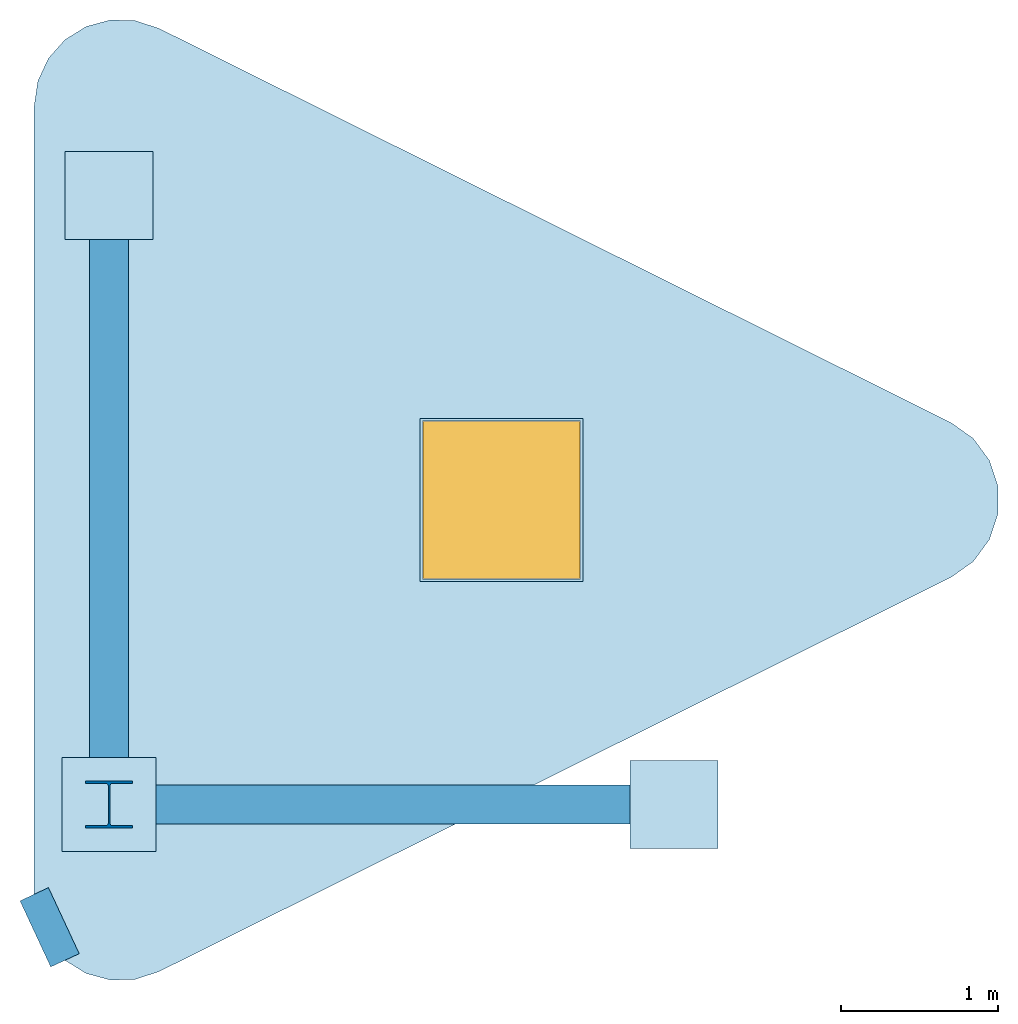
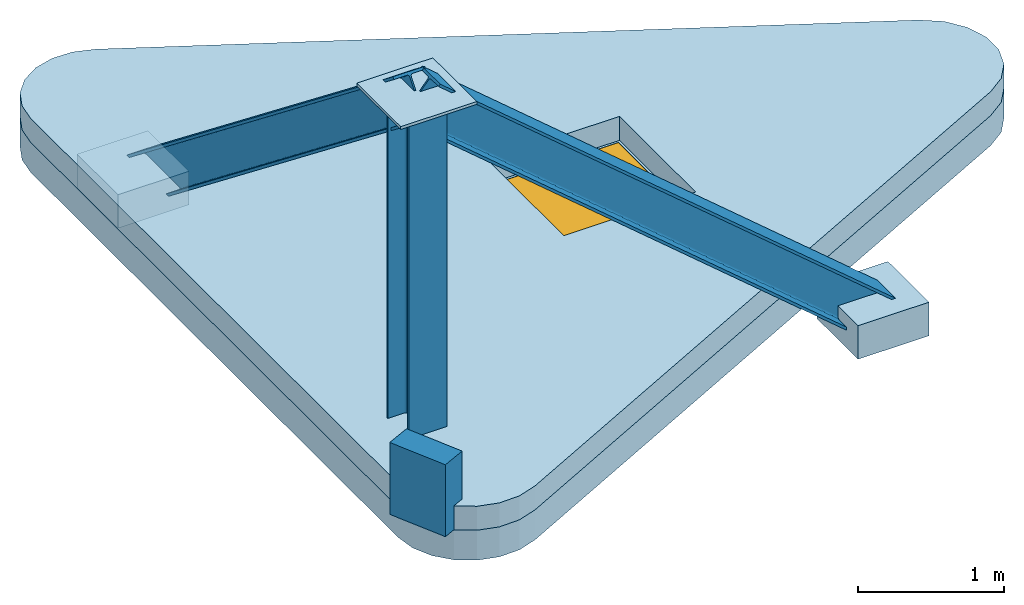
"""IFC4 building model written with IfcOpenShell, lengths in metres."""

from ifc_helpers import new_model, si_unit, direction, frame, frame_2d, origin, origin_2d, place, context, subcontext, project, spatial, polyline, rectangle, i_section, outline, extrude, source, transform, mapped, material, layer, layer_set, material_profile, profile_set, type_object, element, fill, save


model = new_model("IFC4")

# Units and contexts
model_context = context("Model", 3, precision=1e-05, world=origin(), true_north=direction((0.0, 1.0)))
body_context = subcontext(model_context, "Body", "Model", "MODEL_VIEW")
ifc_project = project(units=[si_unit("LENGTHUNIT", "METRE"), si_unit("AREAUNIT", "SQUARE_METRE"), si_unit("VOLUMEUNIT", "CUBIC_METRE"), si_unit("PLANEANGLEUNIT", "RADIAN"), si_unit("MASSUNIT", "GRAM", prefix="KILO")], contexts=[model_context])

# Site, building, storey
site_placement = place(None, origin())
site = spatial("IfcSite", under=ifc_project, at=site_placement, CompositionType="ELEMENT")
building_placement = place(site_placement, origin())
building = spatial("IfcBuilding", under=site, at=building_placement, Name="Yunling Apex Tower", CompositionType="ELEMENT")
storey_1_placement = place(building_placement, frame((0.0, 0.0, 349.050048828125)))
storey_1 = spatial("IfcBuildingStorey", under=building, at=storey_1_placement, Name="ROOF", CompositionType="ELEMENT", Elevation=349.050048828125)

# Column
ifc_material_1 = material(Name="Steel Q355B", Category="steel")
ifc_material_profile_1 = material_profile(ifc_material_1, i_section(OverallWidth=0.300048828125, OverallDepth=0.300048828125, WebThickness=0.010009765625, FlangeThickness=0.014892578125, FilletRadius=0.01806640625, at=origin_2d()))
ifc_profile_set_1 = profile_set([ifc_material_profile_1], Name="Steel Q355B")
column_type = type_object("IfcColumnType", Name="CC-STL-3", PredefinedType="COLUMN", material=ifc_profile_set_1)
shared_shape_1 = source(origin(), body_context, "Body", "SweptSolid", [
    extrude(i_section(OverallWidth=0.300048828125, OverallDepth=0.300048828125, WebThickness=0.010009765625, FlangeThickness=0.014892578125, FilletRadius=0.01806640625, at=origin_2d()), origin(), (0.0, 0.0, 1.0), 3.169921875),
])
column_placement = place(storey_1_placement, frame((-1.800048828125, -1.93994140625, 0.0), z_axis=(0.0, 0.0, 1.0), x_axis=(1.0, 0.0, 0.0)))
element("IfcColumn", 1, at=column_placement, inside=storey_1, type_object=column_type, Name="ROOF Crown Apex King-Post Column", PredefinedType="COLUMN", context=body_context, shape_type="MappedRepresentation", body=[
    mapped(shared_shape_1, transform((0.0, 0.0, 0.0), scale=1.0)),
])

# Members
ifc_material_profile_2 = material_profile(ifc_material_1, i_section(OverallWidth=0.25, OverallDepth=0.35009765625, WebThickness=0.011962890625, FlangeThickness=0.02001953125, FilletRadius=0.01611328125, at=origin_2d()))
ifc_profile_set_2 = profile_set([ifc_material_profile_2], Name="Steel Q355B")
member_type = type_object("IfcMemberType", Name="CR-RIB-2", PredefinedType="RAFTER", material=ifc_profile_set_2)
shared_shape_2 = source(origin(), body_context, "Body", "SweptSolid", [
    extrude(i_section(OverallWidth=0.25, OverallDepth=0.35009765625, WebThickness=0.011962890625, FlangeThickness=0.02001953125, FilletRadius=0.01611328125, at=origin_2d()), origin(), (0.0, 0.0, 1.0), 4.935302734375),
])
member_1_placement = place(storey_1_placement, frame((-1.800048828125, 1.93994140625, 0.119873046875), z_axis=(0.0, -0.78616382066, 0.618018160805), x_axis=(1.0, 0.0, 0.0)))
element("IfcMember", 2, at=member_1_placement, inside=storey_1, type_object=member_type, Name="ROOF Glass-Point Apex Rafter 1", PredefinedType="RAFTER", context=body_context, shape_type="MappedRepresentation", body=[
    mapped(shared_shape_2, transform((0.0, 0.0, 0.0), scale=1.0)),
])
shared_shape_3 = source(origin(), body_context, "Body", "SweptSolid", [
    extrude(i_section(OverallWidth=0.25, OverallDepth=0.35009765625, WebThickness=0.011962890625, FlangeThickness=0.02001953125, FilletRadius=0.01611328125, at=origin_2d()), origin(), (0.0, 0.0, 1.0), 4.718505859375),
])
member_2_placement = place(storey_1_placement, frame((1.800048828125, -1.93994140625, 0.119873046875), z_axis=(-0.762987726658, 0.0, 0.646412970917), x_axis=(0.0, -1.0, 0.0)))
element("IfcMember", 3, at=member_2_placement, inside=storey_1, type_object=member_type, Name="ROOF Glass-Point Apex Rafter 2", PredefinedType="RAFTER", context=body_context, shape_type="MappedRepresentation", body=[
    mapped(shared_shape_3, transform((0.0, 0.0, 0.0), scale=1.0)),
])

# Slab, opening
ifc_material_2 = material(Name="Concrete C40", Category="concrete")
ifc_layer_1 = layer(ifc_material_2, 0.25)
ifc_layer_set_1 = layer_set([ifc_layer_1], Name="Concrete C40")
slab_type = type_object("IfcSlabType", Name="SL-ROOF-CRN", PredefinedType="ROOF", material=ifc_layer_set_1)
slab_placement = place(storey_1_placement, origin())
slab = element("IfcSlab", 4, at=slab_placement, inside=storey_1, type_object=slab_type, Name="Crown Apex Roof Deck Slab", PredefinedType="ROOF", context=body_context, shape_type="SweptSolid", body=[
    extrude(outline(polyline([(-2.277099609375, -2.511962890625), (-2.25390625, -2.66943359375), (-2.186767578125, -2.813720703125), (-2.081298828125, -2.9326171875), (-1.94580078125, -3.0166015625), (-1.792236328125, -3.05810546875), (-1.63330078125, -3.0537109375), (-1.48193359375, -3.00439453125), (3.564697265625, -0.492431640625), (3.7060546875, -0.3916015625), (3.80859375, -0.251708984375), (3.86279296875, -0.0869140625), (3.86279296875, 0.0869140625), (3.80859375, 0.251708984375), (3.7060546875, 0.3916015625), (3.564697265625, 0.492431640625), (-1.48193359375, 3.00439453125), (-1.63330078125, 3.0537109375), (-1.792236328125, 3.05810546875), (-1.94580078125, 3.0166015625), (-2.081298828125, 2.9326171875), (-2.186767578125, 2.813720703125), (-2.25390625, 2.66943359375), (-2.277099609375, 2.511962890625), (-2.277099609375, -2.511962890625)]), holes=[polyline([(0.199951171875, 0.5), (1.199951171875, 0.5), (1.199951171875, -0.5), (0.199951171875, -0.5), (0.199951171875, 0.5)])]), origin(), (0.0, 0.0, 1.0), 0.25),
])
opening_placement = place(slab_placement, frame((0.699951171875, 0.0, 0.0)))
opening = element("IfcOpeningElement", 5, at=opening_placement, cuts=slab, Name="Opening HT-RF-1", PredefinedType="OPENING", context=body_context, shape_type="SweptSolid", body=[
    extrude(rectangle(XDim=1.00390625, YDim=1.00390625, at=origin_2d()), frame((0.0, 0.0, -0.010009765625)), (0.0, 0.0, 1.0), 0.27001953125),
])

# Storey
storey_2_placement = place(building_placement, frame((0.0, 0.0, 343.85009765625)))
storey_2 = spatial("IfcBuildingStorey", under=building, at=storey_2_placement, Name="C06", CompositionType="ELEMENT", Elevation=343.85009765625)

# Door
door_type = type_object("IfcDoorType", Name="HT-RF-1", OperationType="SINGLE_SWING_LEFT", PredefinedType="TRAPDOOR", material=ifc_material_1)
door_placement = place(opening_placement, frame((0.0, 0.0, 0.199951171875)))
door = element("IfcDoor", 6, at=door_placement, inside=storey_2, type_object=door_type, Name="HT-ROOF-01 Crown Roof Maintenance Access Hatch", OperationType="SINGLE_SWING_LEFT", OverallHeight=1.0, OverallWidth=1.0, PredefinedType="TRAPDOOR", context=body_context, shape_type="SweptSolid", body=[
    extrude(rectangle(XDim=1.0, YDim=1.0, at=origin_2d()), origin(), (0.0, 0.0, 1.0), 0.050048828125),
])

fill(opening, door)

# Plates
ifc_layer_2 = layer(ifc_material_1, 0.02392578125)
ifc_layer_set_2 = layer_set([ifc_layer_2], Name="Steel Q355B")
plate_type_1 = type_object("IfcPlateType", Name="NP-CAP-2", PredefinedType="USERDEFINED", material=ifc_layer_set_2)
shared_shape_4 = source(origin(), body_context, "Body", "SweptSolid", [
    extrude(rectangle(XDim=0.60009765625, YDim=0.60009765625, at=origin_2d()), origin(), (0.0, 0.0, 1.0), 0.02392578125),
])
plate_placement = place(storey_1_placement, frame((-1.800048828125, -1.93994140625, 3.176025390625), z_axis=(0.0, 0.0, 1.0), x_axis=(1.0, 0.0, 0.0)))
element("IfcPlate", 7, at=plate_placement, inside=storey_1, type_object=plate_type_1, Name="Crown Apex Finial Structural Cap Plate (+352.25 m)", ObjectType="CAP_PLATE", PredefinedType="USERDEFINED", context=body_context, shape_type="MappedRepresentation", body=[
    mapped(shared_shape_4, transform((0.0, 0.0, 0.0), scale=1.0)),
])
ifc_layer_3 = layer(ifc_material_1, 0.030029296875)
ifc_layer_set_3 = layer_set([ifc_layer_3], Name="Steel Q355B")
plate_type_2 = type_object("IfcPlateType", Name="NP-CAP-1", PredefinedType="USERDEFINED", material=ifc_layer_set_3)
shared_shape_5 = source(origin(), body_context, "Body", "SweptSolid", [
    extrude(rectangle(XDim=0.56005859375, YDim=0.56005859375, at=origin_2d()), origin(), (0.0, 0.0, 1.0), 0.280029296875),
])
for number, where, z_axis, x_axis, name in (
    (8, (-1.800048828125, 1.93994140625, -0.02001953125), (0.0, 0.0, 1.0), (0.0, -1.0, 0.0), "ROOF ROOF Apex Rafter Baseplate 432"),
    (9, (1.800048828125, -1.93994140625, -0.02001953125), (0.0, 0.0, 1.0), (-1.0, 0.0, 0.0), "ROOF ROOF Apex Rafter Baseplate 433"),
):
    element("IfcPlate", number, at=place(storey_1_placement, frame(where, z_axis=z_axis, x_axis=x_axis)), inside=storey_1, type_object=plate_type_2, Name=name, ObjectType="CAP_PLATE", PredefinedType="USERDEFINED", context=body_context, shape_type="MappedRepresentation", body=[
        mapped(shared_shape_5, transform((0.0, 0.0, 0.0), scale=1.0)),
    ])

# Wall
ifc_material_3 = material(Name="Precast concrete C40", Category="concrete")
ifc_layer_4 = layer(ifc_material_3, 0.199951171875)
ifc_layer_set_4 = layer_set([ifc_layer_4], Name="Precast concrete C40")
wall_type = type_object("IfcWallType", Name="WL-PAR-2", PredefinedType="PARAPET", material=ifc_layer_set_4)
wall_placement = place(storey_1_placement, frame((-2.277099609375, -2.511962890625, 0.25), z_axis=(0.0, 0.0, 1.0), x_axis=(0.421992298899, -0.906599415216, 0.0)))
element("IfcWall", 10, at=wall_placement, inside=storey_1, type_object=wall_type, Name="WL-PAR-ROOF", PredefinedType="PARAPET", context=body_context, shape_type="SweptSolid", body=[
    extrude(rectangle(XDim=0.464111328125, YDim=0.199951171875, at=frame_2d((0.23193359375, 0.0))), origin(), (0.0, 0.0, 1.0), 0.599853515625),
])

# Roof
ifc_material_4 = material(Name="Bronze fritted laminated crown glass", Category="glass")
ifc_layer_5 = layer(ifc_material_4, 0.25)
ifc_layer_set_5 = layer_set([ifc_layer_5], Name="Bronze fritted laminated crown glass")
roof_type = type_object("IfcRoofType", Name="RF-CRN-1", PredefinedType="PAVILION_ROOF", material=ifc_layer_set_5)
roof_placement = place(storey_1_placement, frame((0.0, 0.0, 0.25)))
element("IfcRoof", 11, at=roof_placement, inside=storey_1, type_object=roof_type, Name="RF-CROWN-APEX", PredefinedType="PAVILION_ROOF", context=body_context, shape_type="SweptSolid", body=[
    extrude(outline(polyline([(-2.277099609375, -2.511962890625), (-2.25390625, -2.66943359375), (-2.186767578125, -2.813720703125), (-2.081298828125, -2.9326171875), (-1.94580078125, -3.0166015625), (-1.792236328125, -3.05810546875), (-1.63330078125, -3.0537109375), (-1.48193359375, -3.00439453125), (3.564697265625, -0.492431640625), (3.7060546875, -0.3916015625), (3.80859375, -0.251708984375), (3.86279296875, -0.0869140625), (3.86279296875, 0.0869140625), (3.80859375, 0.251708984375), (3.7060546875, 0.3916015625), (3.564697265625, 0.492431640625), (-1.48193359375, 3.00439453125), (-1.63330078125, 3.0537109375), (-1.792236328125, 3.05810546875), (-1.94580078125, 3.0166015625), (-2.081298828125, 2.9326171875), (-2.186767578125, 2.813720703125), (-2.25390625, 2.66943359375), (-2.277099609375, 2.511962890625), (-2.277099609375, -2.511962890625)]), holes=[polyline([(0.179931640625, -0.52001953125), (0.179931640625, 0.52001953125), (1.219970703125, 0.52001953125), (1.219970703125, -0.52001953125), (0.179931640625, -0.52001953125)])]), origin(), (0.0, 0.0, 1.0), 0.199951171875),
])

save(model, "model.ifc")
